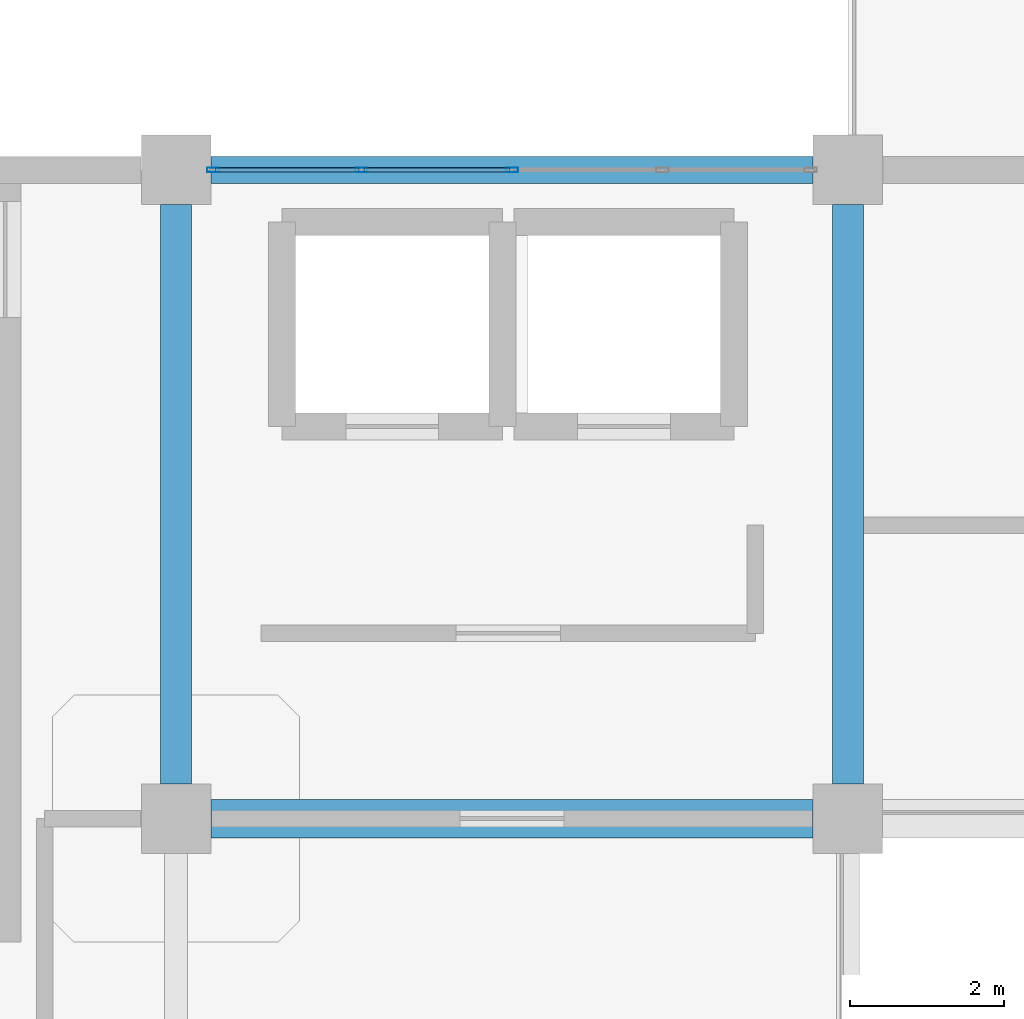
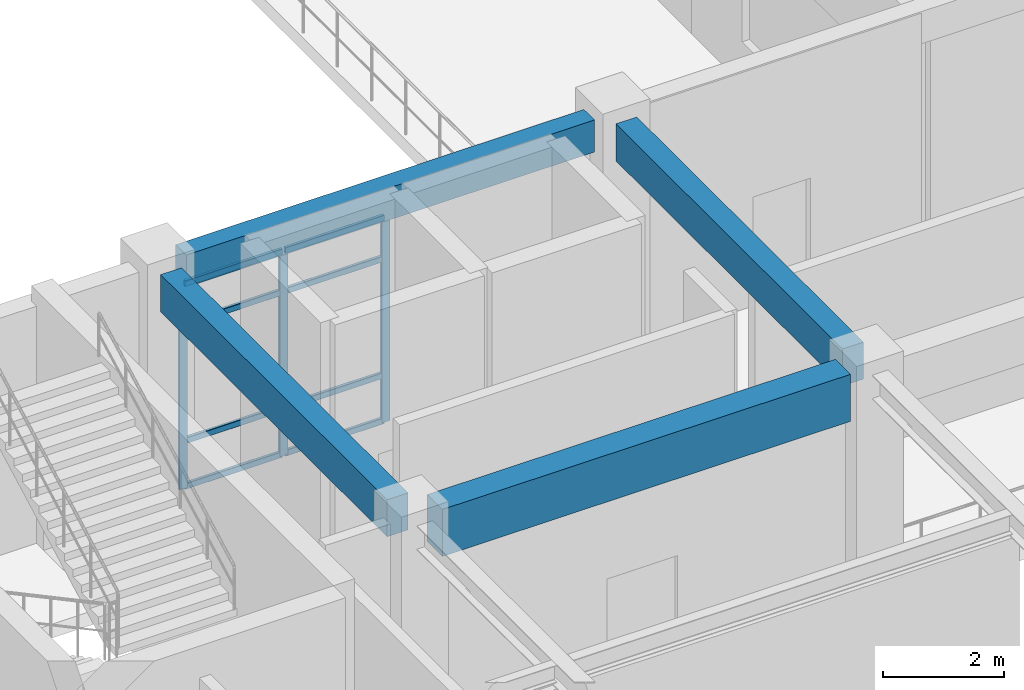
# One storey, part 47 of 120: 11 members, 4 beams, 1 element without a shape of its own.
"""IFC4 building model written with IfcOpenShell, lengths in metres."""

from ifc_helpers import new_model, si_unit, derived_unit, direction, frame, origin, origin_2d, place, context, subcontext, project, spatial, rectangle, hollow_rectangle, extrude, material, layer, layer_set, material_profile, profile_set, type_object, element, aggregate, save


model = new_model("IFC4")

# Units and contexts
model_context = context("Model", 3, precision=1e-05, world=origin(), true_north=direction((0.0, 1.0)))
body_context = subcontext(model_context, "Body", "Model", "MODEL_VIEW")
ifc_project = project(units=[si_unit("LENGTHUNIT", "METRE"), si_unit("AREAUNIT", "SQUARE_METRE"), si_unit("VOLUMEUNIT", "CUBIC_METRE"), si_unit("PLANEANGLEUNIT", "RADIAN"), si_unit("MASSUNIT", "GRAM", prefix="KILO"), derived_unit("THERMALTRANSMITTANCEUNIT", [(si_unit("MASSUNIT", "GRAM", prefix="KILO"), 1), (si_unit("TIMEUNIT", "SECOND"), -3), (si_unit("THERMODYNAMICTEMPERATUREUNIT", "KELVIN"), -1)])], contexts=[model_context])

# Site, building, storey
site_placement = place(None, origin())
site = spatial("IfcSite", under=ifc_project, at=site_placement, CompositionType="ELEMENT")
building_placement = place(site_placement, origin())
building = spatial("IfcBuilding", under=site, at=building_placement, Name="Qinzheling Arcade Emporium", CompositionType="ELEMENT")
storey_placement = place(building_placement, frame((0.0, 0.0, 11.39990234375)))
storey = spatial("IfcBuildingStorey", under=building, at=storey_placement, Name="L03", CompositionType="ELEMENT", Elevation=11.39990234375)

# Curtain wall, members
ifc_material_1 = material(Name="Anodised aluminium and solar-control double glazing", Category="aluminium")
ifc_layer = layer(ifc_material_1, 0.159912109375, Name="Anodised aluminium and solar-control double glazing", Category="aluminium")
ifc_layer_set = layer_set([ifc_layer], Name="Anodised aluminium and solar-control double glazing")
curtain_wall_type = type_object("IfcCurtainWallType", Name="Atrium Clerestory Curtain Wall", PredefinedType="NOTDEFINED", material=ifc_layer_set)
curtain_wall_placement = place(storey_placement, origin())
curtain_wall = element("IfcCurtainWall", 1, at=curtain_wall_placement, inside=storey, type_object=curtain_wall_type, Name="Curtain Wall CW-L03-174", PredefinedType="NOTDEFINED")
ifc_material_2 = material(Name="Anodised aluminium 6063-T6", Category="aluminium")
ifc_material_profile_1 = material_profile(ifc_material_2, hollow_rectangle(XDim=0.06005859375, YDim=0.159912109375, WallThickness=0.00390625, InnerFilletRadius=0.00390625, OuterFilletRadius=0.008056640625, at=origin_2d()), Name="RHS 160x60x4", Category="aluminium")
ifc_profile_set_1 = profile_set([ifc_material_profile_1], Name="Anodised aluminium 6063-T6")
member_type_1 = type_object("IfcMemberType", Name="Curtain Wall Mullion RHS160x60", PredefinedType="MULLION", material=ifc_profile_set_1)
member_1_placement = place(storey_placement, frame((43.98193359375, 73.800048828125, 0.0), z_axis=(0.0, 0.0, 1.0), x_axis=(0.0, 1.0, 0.0)))
member_1 = element("IfcMember", 2, at=member_1_placement, type_object=member_type_1, Name="CW03 mullion 1", PredefinedType="MULLION", context=body_context, shape_type="SweptSolid", body=[
    extrude(hollow_rectangle(XDim=0.06005859375, YDim=0.159912109375, WallThickness=0.00390625, InnerFilletRadius=0.00390625, OuterFilletRadius=0.008056640625, at=origin_2d()), origin(), (0.0, 0.0, 1.0), 4.155029296875),
])
member_2_placement = place(storey_placement, frame((45.90087890625, 73.800048828125, 0.0), z_axis=(0.0, 0.0, 1.0), x_axis=(0.0, 1.0, 0.0)))
member_2 = element("IfcMember", 3, at=member_2_placement, type_object=member_type_1, Name="CW03 mullion 2", PredefinedType="MULLION", context=body_context, shape_type="SweptSolid", body=[
    extrude(hollow_rectangle(XDim=0.06005859375, YDim=0.159912109375, WallThickness=0.00390625, InnerFilletRadius=0.00390625, OuterFilletRadius=0.008056640625, at=origin_2d()), origin(), (0.0, 0.0, 1.0), 4.155029296875),
])
member_3_placement = place(storey_placement, frame((47.85009765625, 73.800048828125, 0.0), z_axis=(0.0, 0.0, 1.0), x_axis=(0.0, 1.0, 0.0)))
member_3 = element("IfcMember", 4, at=member_3_placement, type_object=member_type_1, Name="CW03 mullion 3", PredefinedType="MULLION", context=body_context, shape_type="SweptSolid", body=[
    extrude(hollow_rectangle(XDim=0.06005859375, YDim=0.159912109375, WallThickness=0.00390625, InnerFilletRadius=0.00390625, OuterFilletRadius=0.008056640625, at=origin_2d()), origin(), (0.0, 0.0, 1.0), 4.155029296875),
])
ifc_material_profile_2 = material_profile(ifc_material_2, hollow_rectangle(XDim=0.06005859375, YDim=0.1201171875, WallThickness=0.00390625, InnerFilletRadius=0.00390625, OuterFilletRadius=0.008056640625, at=origin_2d()), Name="RHS 120x60x4", Category="aluminium")
ifc_profile_set_2 = profile_set([ifc_material_profile_2], Name="Anodised aluminium 6063-T6")
member_type_2 = type_object("IfcMemberType", Name="Curtain Wall Transom RHS120x60", PredefinedType="USERDEFINED", material=ifc_profile_set_2)
member_4_placement = place(storey_placement, frame((44.011962890625, 73.800048828125, 0.030029296875), z_axis=(1.0, 0.0, 0.0), x_axis=(0.0, 1.0, 0.0)))
member_4 = element("IfcMember", 5, at=member_4_placement, type_object=member_type_2, Name="CW03 transom 1.1", ObjectType="TRANSOM", PredefinedType="USERDEFINED", context=body_context, shape_type="SweptSolid", body=[
    extrude(hollow_rectangle(XDim=0.06005859375, YDim=0.1201171875, WallThickness=0.00390625, InnerFilletRadius=0.00390625, OuterFilletRadius=0.008056640625, at=origin_2d()), origin(), (0.0, 0.0, 1.0), 1.859130859375),
])
member_5_placement = place(storey_placement, frame((44.011962890625, 73.800048828125, 0.9501953125), z_axis=(1.0, 0.0, 0.0), x_axis=(0.0, 1.0, 0.0)))
member_5 = element("IfcMember", 6, at=member_5_placement, type_object=member_type_2, Name="CW03 transom 1.2", ObjectType="TRANSOM", PredefinedType="USERDEFINED", context=body_context, shape_type="SweptSolid", body=[
    extrude(hollow_rectangle(XDim=0.06005859375, YDim=0.1201171875, WallThickness=0.00390625, InnerFilletRadius=0.00390625, OuterFilletRadius=0.008056640625, at=origin_2d()), origin(), (0.0, 0.0, 1.0), 1.859130859375),
])
member_6_placement = place(storey_placement, frame((44.011962890625, 73.800048828125, 3.30517578125), z_axis=(1.0, 0.0, 0.0), x_axis=(0.0, 1.0, 0.0)))
member_6 = element("IfcMember", 7, at=member_6_placement, type_object=member_type_2, Name="CW03 transom 1.3", ObjectType="TRANSOM", PredefinedType="USERDEFINED", context=body_context, shape_type="SweptSolid", body=[
    extrude(hollow_rectangle(XDim=0.06005859375, YDim=0.1201171875, WallThickness=0.00390625, InnerFilletRadius=0.00390625, OuterFilletRadius=0.008056640625, at=origin_2d()), origin(), (0.0, 0.0, 1.0), 1.859130859375),
])
member_7_placement = place(storey_placement, frame((44.011962890625, 73.800048828125, 4.125), z_axis=(1.0, 0.0, 0.0), x_axis=(0.0, 1.0, 0.0)))
member_7 = element("IfcMember", 8, at=member_7_placement, type_object=member_type_2, Name="CW03 transom 1.4", ObjectType="TRANSOM", PredefinedType="USERDEFINED", context=body_context, shape_type="SweptSolid", body=[
    extrude(hollow_rectangle(XDim=0.06005859375, YDim=0.1201171875, WallThickness=0.00390625, InnerFilletRadius=0.00390625, OuterFilletRadius=0.008056640625, at=origin_2d()), origin(), (0.0, 0.0, 1.0), 1.859130859375),
])
member_8_placement = place(storey_placement, frame((45.930908203125, 73.800048828125, 0.030029296875), z_axis=(1.0, 0.0, 0.0), x_axis=(0.0, 1.0, 0.0)))
member_8 = element("IfcMember", 9, at=member_8_placement, type_object=member_type_2, Name="CW03 transom 2.1", ObjectType="TRANSOM", PredefinedType="USERDEFINED", context=body_context, shape_type="SweptSolid", body=[
    extrude(hollow_rectangle(XDim=0.06005859375, YDim=0.1201171875, WallThickness=0.00390625, InnerFilletRadius=0.00390625, OuterFilletRadius=0.008056640625, at=origin_2d()), origin(), (0.0, 0.0, 1.0), 1.88916015625),
])
member_9_placement = place(storey_placement, frame((45.930908203125, 73.800048828125, 0.9501953125), z_axis=(1.0, 0.0, 0.0), x_axis=(0.0, 1.0, 0.0)))
member_9 = element("IfcMember", 10, at=member_9_placement, type_object=member_type_2, Name="CW03 transom 2.2", ObjectType="TRANSOM", PredefinedType="USERDEFINED", context=body_context, shape_type="SweptSolid", body=[
    extrude(hollow_rectangle(XDim=0.06005859375, YDim=0.1201171875, WallThickness=0.00390625, InnerFilletRadius=0.00390625, OuterFilletRadius=0.008056640625, at=origin_2d()), origin(), (0.0, 0.0, 1.0), 1.88916015625),
])
member_10_placement = place(storey_placement, frame((45.930908203125, 73.800048828125, 3.30517578125), z_axis=(1.0, 0.0, 0.0), x_axis=(0.0, 1.0, 0.0)))
member_10 = element("IfcMember", 11, at=member_10_placement, type_object=member_type_2, Name="CW03 transom 2.3", ObjectType="TRANSOM", PredefinedType="USERDEFINED", context=body_context, shape_type="SweptSolid", body=[
    extrude(hollow_rectangle(XDim=0.06005859375, YDim=0.1201171875, WallThickness=0.00390625, InnerFilletRadius=0.00390625, OuterFilletRadius=0.008056640625, at=origin_2d()), origin(), (0.0, 0.0, 1.0), 1.88916015625),
])
member_11_placement = place(storey_placement, frame((45.930908203125, 73.800048828125, 4.125), z_axis=(1.0, 0.0, 0.0), x_axis=(0.0, 1.0, 0.0)))
member_11 = element("IfcMember", 12, at=member_11_placement, type_object=member_type_2, Name="CW03 transom 2.4", ObjectType="TRANSOM", PredefinedType="USERDEFINED", context=body_context, shape_type="SweptSolid", body=[
    extrude(hollow_rectangle(XDim=0.06005859375, YDim=0.1201171875, WallThickness=0.00390625, InnerFilletRadius=0.00390625, OuterFilletRadius=0.008056640625, at=origin_2d()), origin(), (0.0, 0.0, 1.0), 1.88916015625),
])
aggregate(curtain_wall, [member_1, member_2, member_3, member_4, member_5, member_6, member_7, member_8, member_9, member_10, member_11])

# Beams
ifc_material_3 = material(Name="Concrete C40", Category="concrete")
ifc_material_profile_3 = material_profile(ifc_material_3, rectangle(XDim=0.39990234375, YDim=0.75, at=origin_2d()), Name="RC 400x750", Category="concrete")
ifc_profile_set_3 = profile_set([ifc_material_profile_3], Name="Concrete C40")
beam_type_1 = type_object("IfcBeamType", Name="RC Interior Tie Beam 400x750 C40", PredefinedType="BEAM", material=ifc_profile_set_3)
for number, where, z_axis, x_axis, name in (
    (13, (43.5, 65.85009765625, 4.445068359375), (0.0, 1.0, 0.0), (-1.0, 0.0, 0.0), "Beam BM-L03-Y-6-H"),
    (14, (52.199951171875, 65.85009765625, 4.445068359375), (0.0, 1.0, 0.0), (-1.0, 0.0, 0.0), "Beam BM-L03-Y-7-H"),
):
    element("IfcBeam", number, at=place(storey_placement, frame(where, z_axis=z_axis, x_axis=x_axis)), inside=storey, type_object=beam_type_1, Name=name, PredefinedType="BEAM", context=body_context, shape_type="SweptSolid", body=[
        extrude(rectangle(XDim=0.39990234375, YDim=0.75, at=origin_2d()), origin(), (0.0, 0.0, 1.0), 7.5),
    ])
ifc_material_profile_4 = material_profile(ifc_material_3, rectangle(XDim=0.35009765625, YDim=0.64990234375, at=origin_2d()), Name="RC 350x650", Category="concrete")
ifc_profile_set_4 = profile_set([ifc_material_profile_4], Name="Concrete C40")
beam_type_2 = type_object("IfcBeamType", Name="RC Spandrel Edge Beam 350x650 C40", PredefinedType="SPANDREL", material=ifc_profile_set_4)
beam_1_placement = place(storey_placement, frame((43.949951171875, 73.800048828125, 4.4951171875), z_axis=(1.0, 0.0, 0.0), x_axis=(0.0, 1.0, 0.0)))
element("IfcBeam", 15, at=beam_1_placement, inside=storey, type_object=beam_type_2, Name="Beam BM-L03-X-J-6", PredefinedType="SPANDREL", context=body_context, shape_type="SweptSolid", body=[
    extrude(rectangle(XDim=0.35009765625, YDim=0.64990234375, at=origin_2d()), origin(), (0.0, 0.0, 1.0), 7.800048828125),
])
ifc_material_profile_5 = material_profile(ifc_material_3, rectangle(XDim=0.5, YDim=0.949951171875, at=origin_2d()), Name="RC 500x950", Category="concrete")
ifc_profile_set_5 = profile_set([ifc_material_profile_5], Name="Concrete C40")
beam_type_3 = type_object("IfcBeamType", Name="RC Vault Ring Beam 500x950 C40", PredefinedType="BEAM", material=ifc_profile_set_5)
beam_2_placement = place(storey_placement, frame((43.949951171875, 65.39990234375, 4.34521484375), z_axis=(1.0, 0.0, 0.0), x_axis=(0.0, 1.0, 0.0)))
element("IfcBeam", 16, at=beam_2_placement, inside=storey, type_object=beam_type_3, Name="Beam BM-L03-X-H-6", PredefinedType="BEAM", context=body_context, shape_type="SweptSolid", body=[
    extrude(rectangle(XDim=0.5, YDim=0.949951171875, at=origin_2d()), origin(), (0.0, 0.0, 1.0), 7.800048828125),
])

save(model, "model.ifc")
